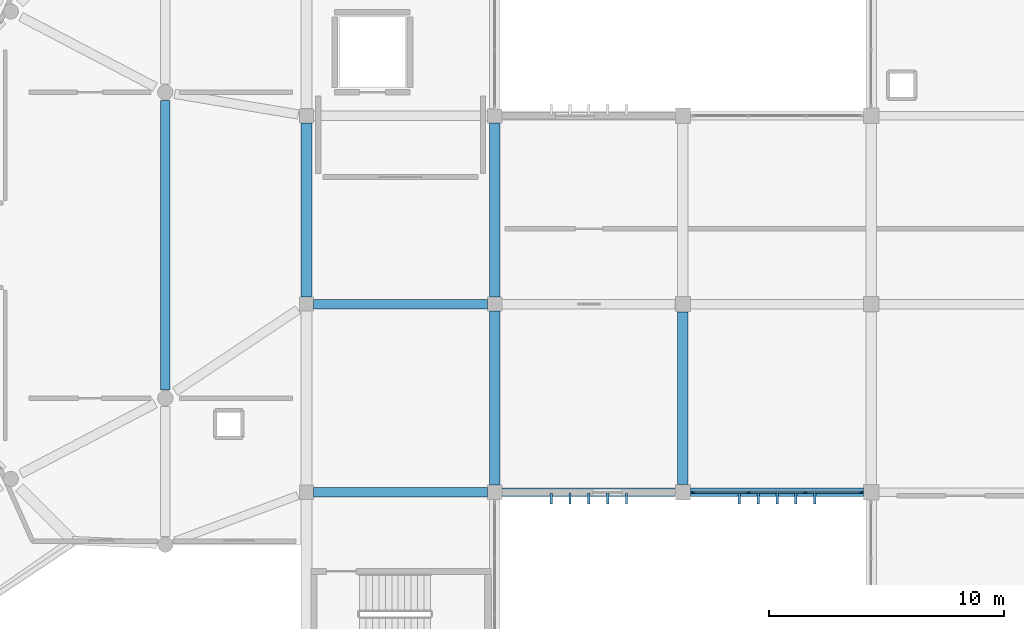
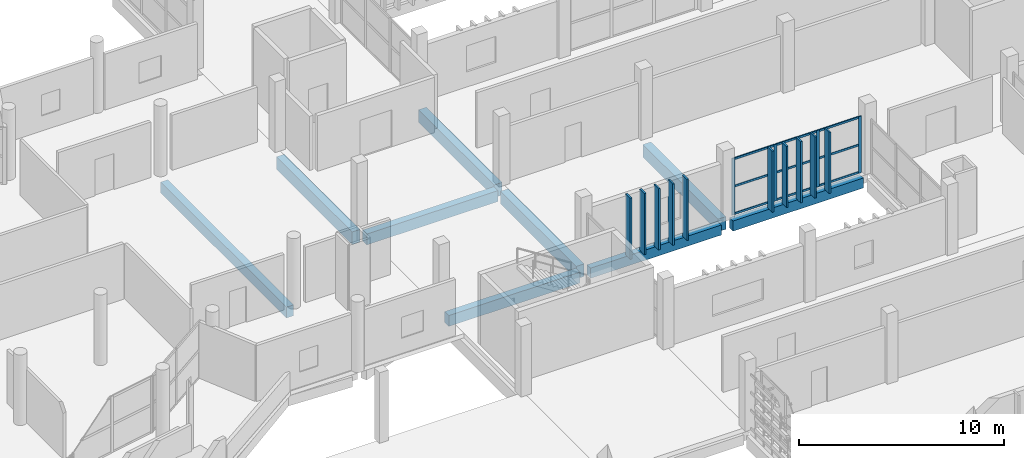
# One storey, part 19 of 137: 23 members, 9 beams, 1 element without a shape of its own.
"""IFC4 building model written with IfcOpenShell, lengths in metres."""

import ifcopenshell
import ifcopenshell.guid

model = None  # the IFC model being written
_history = None  # IfcOwnerHistory: only IFC2X3 demands one
_inside = {}  # id of a spatial element -> (the spatial element, [elements in it])
_under = {}  # id of a project, library or spatial element -> (it, [spatial elements below it])
_declared = {}  # id of a project -> (the project, [libraries it declares])
_typed = {}  # id of a type object -> (the type object, [elements of that type])
_made_of = {}  # id of a material, layer set ... -> (it, [elements and type objects made of it])


def new_model(schema):
    """Start an empty IFC model of exactly this schema.

    Asked for "IFC4X3", IfcOpenShell would pick the latest addendum, in which some entities
    have other attributes; the version numbers below select the first issue.
    IFC2X3 requires an IfcOwnerHistory on every rooted entity: one is made here for all.
    """
    global model, _history
    if schema == "IFC4X3":
        model = ifcopenshell.file(schema_version=(4, 3, 0, 0))
    else:
        model = ifcopenshell.file(schema=schema)
    _inside.clear()
    _under.clear()
    _declared.clear()
    _typed.clear()
    _made_of.clear()
    _history = None
    if model.schema == "IFC2X3":
        org = make("IfcOrganization", Name="unknown")
        user = make(
            "IfcPersonAndOrganization",
            ThePerson=make("IfcPerson", FamilyName="unknown"),
            TheOrganization=org,
        )
        app = make(
            "IfcApplication",
            ApplicationDeveloper=org,
            Version="unknown",
            ApplicationFullName="unknown",
            ApplicationIdentifier="unknown",
        )
        _history = make(
            "IfcOwnerHistory",
            OwningUser=user,
            OwningApplication=app,
            ChangeAction="ADDED",
            CreationDate=0,
        )
    return model


def make(cls, **values):
    """One entity of the class cls with the attributes given. An attribute that is None is left unset."""
    return model.create_entity(
        cls, **{name: value for name, value in values.items() if value is not None}
    )


def rooted(cls, **values):
    """An entity with a GlobalId (a new one), such as an element, a storey or a relation."""
    return make(cls, GlobalId=ifcopenshell.guid.new(), OwnerHistory=_history, **values)


def si_unit(unit_type, name, prefix=None):
    """IfcSIUnit, for example si_unit("LENGTHUNIT", "METRE", prefix="MILLI")."""
    return make("IfcSIUnit", UnitType=unit_type, Prefix=prefix, Name=name)


def assignment(units):
    """IfcUnitAssignment: the units of a project."""
    return None if units is None else make("IfcUnitAssignment", Units=units)


def point(xyz):
    """IfcCartesianPoint."""
    return None if xyz is None else make("IfcCartesianPoint", Coordinates=xyz)


def direction(xyz):
    """IfcDirection."""
    return None if xyz is None else make("IfcDirection", DirectionRatios=xyz)


def frame(location, z_axis=None, x_axis=None):
    """IfcAxis2Placement3D, a coordinate frame: its origin and axes. An axis left out is left unset."""
    return make(
        "IfcAxis2Placement3D",
        Location=point(location),
        Axis=direction(z_axis),
        RefDirection=direction(x_axis),
    )


def frame_2d(location, x_axis=None):
    """IfcAxis2Placement2D, a coordinate frame in the plane: its origin and x axis."""
    return make(
        "IfcAxis2Placement2D", Location=point(location), RefDirection=direction(x_axis)
    )


def origin():
    """The frame at (0, 0, 0) with its axes left unset."""
    return frame((0.0, 0.0, 0.0))


def origin_2d():
    """The frame at (0, 0) in the plane with its x axis left unset."""
    return frame_2d((0.0, 0.0))


def place(relative_to, where):
    """IfcLocalPlacement: puts the frame where relative to a parent placement (None: the world)."""
    return make(
        "IfcLocalPlacement", PlacementRelTo=relative_to, RelativePlacement=where
    )


def context(
    kind, dimensions, precision=None, world=None, true_north=None, identifier=None
):
    """IfcGeometricRepresentationContext, for example the 3D "Model" context."""
    return make(
        "IfcGeometricRepresentationContext",
        ContextIdentifier=identifier,
        ContextType=kind,
        CoordinateSpaceDimension=dimensions,
        Precision=precision,
        WorldCoordinateSystem=world,
        TrueNorth=true_north,
    )


def subcontext(parent, identifier, kind, view, scale=None):
    """IfcGeometricRepresentationSubContext, for example "Body" below "Model"."""
    return make(
        "IfcGeometricRepresentationSubContext",
        ContextIdentifier=identifier,
        ContextType=kind,
        ParentContext=parent,
        TargetScale=scale,
        TargetView=view,
    )


def project(units=None, contexts=None):
    """IfcProject with its units and contexts."""
    return rooted(
        "IfcProject",
        Name="project",
        RepresentationContexts=contexts,
        UnitsInContext=assignment(units),
    )


def spatial(cls, under=None, at=None, **own):
    """A site, building, storey or space (cls), placed at a placement, below another one or the project."""
    s = rooted(cls, ObjectPlacement=at, **own)
    if under is not None:
        _under.setdefault(under.id(), (under, []))[1].append(s)
    return s


def profile(cls, at=None, kind="AREA", **sizes):
    """A parametric profile (cls). Its sizes go by their IFC names, for example OverallWidth=200.0."""
    return make(cls, ProfileType=kind, Position=at, **sizes)


def rectangle(**sizes):
    """IfcRectangleProfileDef."""
    return profile("IfcRectangleProfileDef", **sizes)


def extrude(swept, where, along, depth):
    """IfcExtrudedAreaSolid: the profile swept, set in the frame where, extruded along a direction by depth."""
    return make(
        "IfcExtrudedAreaSolid",
        SweptArea=swept,
        Position=where,
        ExtrudedDirection=direction(along),
        Depth=depth,
    )


def shape(context_of_items, identifier, shape_type, items):
    """IfcShapeRepresentation: the items that make up one representation, for example the "Body"."""
    return make(
        "IfcShapeRepresentation",
        ContextOfItems=context_of_items,
        RepresentationIdentifier=identifier,
        RepresentationType=shape_type,
        Items=items,
    )


def material(Name=None, Category=None):
    """IfcMaterial."""
    return make("IfcMaterial", Name=Name, Category=Category)


def layer(
    of_material, thickness, ventilated=None, Name=None, Category=None, Priority=None
):
    """IfcMaterialLayer: one layer of a wall or slab, of a material (None: an air gap)."""
    return make(
        "IfcMaterialLayer",
        Material=of_material,
        LayerThickness=thickness,
        IsVentilated=ventilated,
        Name=Name,
        Category=Category,
        Priority=Priority,
    )


def layer_set(layers, Name=None):
    """IfcMaterialLayerSet."""
    return make("IfcMaterialLayerSet", MaterialLayers=layers, LayerSetName=Name)


def material_profile(
    of_material, cross_section, Name=None, Category=None, Priority=None
):
    """IfcMaterialProfile: a cross section and its material."""
    return make(
        "IfcMaterialProfile",
        Name=Name,
        Material=of_material,
        Profile=cross_section,
        Priority=Priority,
        Category=Category,
    )


def profile_set(profiles, Name=None, composite=None):
    """IfcMaterialProfileSet."""
    return make(
        "IfcMaterialProfileSet",
        Name=Name,
        MaterialProfiles=profiles,
        CompositeProfile=composite,
    )


def made_of(thing, what):
    """Note that an element or type object is made of a material, layer set ...; save() writes the relation."""
    if what is not None:
        _made_of.setdefault(what.id(), (what, []))[1].append(thing)
    return thing


def type_object(cls, material=None, **own):
    """A type object (cls), such as IfcWallType, which elements share."""
    return made_of(rooted(cls, **own), material)


def element(
    cls,
    number,
    at=None,
    inside=None,
    cuts=None,
    type_object=None,
    material=None,
    context=None,
    identifier="Body",
    shape_type=None,
    held_by="IfcProductDefinitionShape",
    body=None,
    shapes=None,
    **own,
):
    """One element of the class cls, such as IfcWall. Its Tag is "e" and its number.

    at: its placement. inside: the storey or other place that contains it. cuts: it is an
    opening in that element (IfcRelVoidsElement). A single representation is given by context,
    identifier, shape_type and body (its items); several are given by shapes. held_by: the class
    of the entity that holds the representations. save() writes the other relations.
    """
    e = rooted(cls, Tag="e%d" % number, ObjectPlacement=at, **own)
    if body is not None:
        shapes = [shape(context, identifier, shape_type, body)]
    if shapes is not None:
        e.Representation = make(held_by, Representations=shapes)
    if inside is not None:
        _inside.setdefault(inside.id(), (inside, []))[1].append(e)
    if cuts is not None:
        rooted(
            "IfcRelVoidsElement", RelatingBuildingElement=cuts, RelatedOpeningElement=e
        )
    if type_object is not None:
        _typed.setdefault(type_object.id(), (type_object, []))[1].append(e)
    return made_of(e, material)


def aggregate(whole, parts):
    """IfcRelAggregates: a whole, such as a stair, and the parts it consists of."""
    return rooted("IfcRelAggregates", RelatingObject=whole, RelatedObjects=parts)


def save(model, path):
    """Write the relations noted so far, then the file.

    IfcRelAggregates (storeys below a building ...), IfcRelContainedInSpatialStructure (elements
    in a storey), IfcRelDefinesByType, IfcRelAssociatesMaterial and IfcRelDeclares: one each for
    every whole, place, type object, material and project.
    """
    for whole, parts in _under.values():
        aggregate(whole, parts)
    for where, things in _inside.values():
        rooted(
            "IfcRelContainedInSpatialStructure",
            RelatedElements=things,
            RelatingStructure=where,
        )
    for kind, things in _typed.values():
        rooted("IfcRelDefinesByType", RelatedObjects=things, RelatingType=kind)
    for what, things in _made_of.values():
        rooted("IfcRelAssociatesMaterial", RelatedObjects=things, RelatingMaterial=what)
    for by, libraries in _declared.values():
        rooted("IfcRelDeclares", RelatingContext=by, RelatedDefinitions=libraries)
    model.write(path)


model = new_model("IFC4")

# Units and contexts
model_context = context("Model", 3, precision=1e-05, world=origin(), true_north=direction((0.0, 1.0)))
body_context = subcontext(model_context, "Body", "Model", "MODEL_VIEW")
ifc_project = project(units=[si_unit("LENGTHUNIT", "METRE"), si_unit("AREAUNIT", "SQUARE_METRE"), si_unit("VOLUMEUNIT", "CUBIC_METRE"), si_unit("PLANEANGLEUNIT", "RADIAN"), si_unit("MASSUNIT", "GRAM", prefix="KILO")], contexts=[model_context])

# Site, building, storey
site_placement = place(None, origin())
site = spatial("IfcSite", under=ifc_project, at=site_placement, CompositionType="ELEMENT")
building_placement = place(site_placement, origin())
building = spatial("IfcBuilding", under=site, at=building_placement, Name="Jelvoka-Kovrelna Polytechnic", CompositionType="ELEMENT")
storey_placement = place(building_placement, frame((0.0, 0.0, 9.60009765625)))
storey = spatial("IfcBuildingStorey", under=building, at=storey_placement, Name="L03", CompositionType="ELEMENT", Elevation=9.60009765625)

# Beams
ifc_material_1 = material(Name="Concrete C40/50", Category="concrete")
ifc_material_profile_1 = material_profile(ifc_material_1, rectangle(XDim=0.39990234375, YDim=0.64990234375, at=origin_2d()), Name="RC 400x650")
ifc_profile_set_1 = profile_set([ifc_material_profile_1], Name="Concrete C40/50")
beam_type_1 = type_object("IfcBeamType", Name="Beam_RC_400x650", PredefinedType="BEAM", material=ifc_profile_set_1)
for number, where, z_axis, x_axis, name in (
    (1, (48.304931640625, 32.0, -0.590087890625), (1.0, 0.0, 0.0), (0.0, 1.0, 0.0), "L03 beam 1090"),
    (2, (48.304931640625, 40.0, -0.590087890625), (1.0, 0.0, 0.0), (0.0, 1.0, 0.0), "L03 beam 1091"),
):
    element("IfcBeam", number, at=place(storey_placement, frame(where, z_axis=z_axis, x_axis=x_axis)), inside=storey, type_object=beam_type_1, Name=name, PredefinedType="BEAM", context=body_context, shape_type="SweptSolid", body=[
        extrude(rectangle(XDim=0.39990234375, YDim=0.64990234375, at=origin_2d()), origin(), (0.0, 0.0, 1.0), 7.39013671875),
    ])
beam_1_placement = place(storey_placement, frame((42.0, 36.35498046875, -0.5751953125), z_axis=(0.0, 1.0, 0.0), x_axis=(-1.0, 0.0, 0.0)))
element("IfcBeam", 3, at=beam_1_placement, inside=storey, type_object=beam_type_1, Name="L03 beam 2530", PredefinedType="BEAM", context=body_context, shape_type="SweptSolid", body=[
    extrude(rectangle(XDim=0.39990234375, YDim=0.64990234375, at=origin_2d()), origin(), (0.0, 0.0, 1.0), 12.2900390625),
])
ifc_material_2 = material(Name="Concrete C40/50", Category="concrete")
ifc_material_profile_2 = material_profile(ifc_material_2, rectangle(XDim=0.449951171875, YDim=0.75, at=origin_2d()), Name="RC 450x750")
ifc_profile_set_2 = profile_set([ifc_material_profile_2], Name="Concrete C40/50")
beam_type_2 = type_object("IfcBeamType", Name="Beam_RC_450x750", PredefinedType="BEAM", material=ifc_profile_set_2)
for number, where, z_axis, x_axis, name in (
    (4, (56.0, 32.304931640625, -0.64013671875), (0.0, 1.0, 0.0), (-1.0, 0.0, 0.0), "L03 beam 0947"),
    (5, (56.0, 40.304931640625, -0.64013671875), (0.0, 1.0, 0.0), (-1.0, 0.0, 0.0), "L03 beam 0948"),
):
    element("IfcBeam", number, at=place(storey_placement, frame(where, z_axis=z_axis, x_axis=x_axis)), inside=storey, type_object=beam_type_2, Name=name, PredefinedType="BEAM", context=body_context, shape_type="SweptSolid", body=[
        extrude(rectangle(XDim=0.449951171875, YDim=0.75, at=origin_2d()), origin(), (0.0, 0.0, 1.0), 7.39013671875),
    ])
beam_2_placement = place(storey_placement, frame((64.0, 32.330078125, -0.64013671875), z_axis=(0.0, 1.0, 0.0), x_axis=(-1.0, 0.0, 0.0)))
element("IfcBeam", 6, at=beam_2_placement, inside=storey, type_object=beam_type_2, Name="L03 beam 0949", PredefinedType="BEAM", context=body_context, shape_type="SweptSolid", body=[
    extrude(rectangle(XDim=0.449951171875, YDim=0.75, at=origin_2d()), origin(), (0.0, 0.0, 1.0), 7.33984375),
])
beam_3_placement = place(storey_placement, frame((48.0, 40.304931640625, -0.64013671875), z_axis=(0.0, 1.0, 0.0), x_axis=(-1.0, 0.0, 0.0)))
element("IfcBeam", 7, at=beam_3_placement, inside=storey, type_object=beam_type_2, Name="L03 beam 1098", PredefinedType="BEAM", context=body_context, shape_type="SweptSolid", body=[
    extrude(rectangle(XDim=0.449951171875, YDim=0.75, at=origin_2d()), origin(), (0.0, 0.0, 1.0), 7.39013671875),
])

# Members
ifc_material_3 = material(Name="Precast concrete C40/50", Category="concrete")
ifc_material_profile_3 = material_profile(ifc_material_3, rectangle(XDim=0.10009765625, YDim=0.449951171875, at=origin_2d()), Name="PC 100x450")
ifc_profile_set_3 = profile_set([ifc_material_profile_3], Name="Precast concrete C40/50")
member_type_1 = type_object("IfcMemberType", Name="Louvre_Fin_100x450", PredefinedType="USERDEFINED", material=ifc_profile_set_3)
for number, where, z_axis, x_axis, name in (
    (8, (58.39990234375, 31.735107421875, -0.27001953125), (0.0, 0.0, 1.0), (1.0, 0.0, 0.0), "L03 B2W south vertical solar louvre fin 0651"),
    (9, (59.199951171875, 31.735107421875, -0.27001953125), (0.0, 0.0, 1.0), (1.0, 0.0, 0.0), "L03 B2W south vertical solar louvre fin 0652"),
    (10, (60.0, 31.735107421875, -0.27001953125), (0.0, 0.0, 1.0), (1.0, 0.0, 0.0), "L03 B2W south vertical solar louvre fin 0653"),
    (11, (60.800048828125, 31.735107421875, -0.27001953125), (0.0, 0.0, 1.0), (1.0, 0.0, 0.0), "L03 B2W south vertical solar louvre fin 0654"),
    (12, (61.60009765625, 31.735107421875, -0.27001953125), (0.0, 0.0, 1.0), (1.0, 0.0, 0.0), "L03 B2W south vertical solar louvre fin 0655"),
    (13, (66.39990234375, 31.735107421875, -0.27001953125), (0.0, 0.0, 1.0), (1.0, 0.0, 0.0), "L03 B2W south vertical solar louvre fin 0661"),
    (14, (67.199951171875, 31.735107421875, -0.27001953125), (0.0, 0.0, 1.0), (1.0, 0.0, 0.0), "L03 B2W south vertical solar louvre fin 0662"),
    (15, (68.0, 31.735107421875, -0.27001953125), (0.0, 0.0, 1.0), (1.0, 0.0, 0.0), "L03 B2W south vertical solar louvre fin 0663"),
    (16, (68.800048828125, 31.735107421875, -0.27001953125), (0.0, 0.0, 1.0), (1.0, 0.0, 0.0), "L03 B2W south vertical solar louvre fin 0664"),
    (17, (69.60009765625, 31.735107421875, -0.27001953125), (0.0, 0.0, 1.0), (1.0, 0.0, 0.0), "L03 B2W south vertical solar louvre fin 0665"),
):
    element("IfcMember", number, at=place(storey_placement, frame(where, z_axis=z_axis, x_axis=x_axis)), inside=storey, type_object=member_type_1, Name=name, ObjectType="SUNSHADE", PredefinedType="USERDEFINED", context=body_context, shape_type="SweptSolid", body=[
        extrude(rectangle(XDim=0.10009765625, YDim=0.449951171875, at=origin_2d()), origin(), (0.0, 0.0, 1.0), 3.64501953125),
    ])

# Curtain wall, members
ifc_material_4 = material(Name="Anodised aluminium 6063-T6", Category="aluminium")
ifc_layer = layer(ifc_material_4, 0.159912109375)
ifc_layer_set = layer_set([ifc_layer], Name="Anodised aluminium 6063-T6")
curtain_wall_type = type_object("IfcCurtainWallType", Name="CW_Recessed_A", PredefinedType="NOTDEFINED", material=ifc_layer_set)
curtain_wall_placement = place(storey_placement, origin())
curtain_wall = element("IfcCurtainWall", 18, at=curtain_wall_placement, inside=storey, type_object=curtain_wall_type, Name="L03 glazed curtain wall 021", PredefinedType="NOTDEFINED")
ifc_material_5 = material(Name="Anodised aluminium 6063-T6", Category="aluminium")
ifc_material_profile_4 = material_profile(ifc_material_5, rectangle(XDim=0.06005859375, YDim=0.159912109375, at=origin_2d()), Name="ALU 60x160")
ifc_profile_set_4 = profile_set([ifc_material_profile_4], Name="Anodised aluminium 6063-T6")
member_type_2 = type_object("IfcMemberType", Name="Mullion_M-01", PredefinedType="MULLION", material=ifc_profile_set_4)
member_1_placement = place(storey_placement, frame((71.570068359375, 32.0, -0.02490234375), z_axis=(0.0, 0.0, 1.0), x_axis=(0.0, -1.0, 0.0)))
member_1 = element("IfcMember", 19, at=member_1_placement, type_object=member_type_2, Name="CW-01 mullion 1", PredefinedType="MULLION", context=body_context, shape_type="SweptSolid", body=[
    extrude(rectangle(XDim=0.06005859375, YDim=0.159912109375, at=origin_2d()), origin(), (0.0, 0.0, 1.0), 3.375),
])
member_2_placement = place(storey_placement, frame((69.199951171875, 32.0, -0.02490234375), z_axis=(0.0, 0.0, 1.0), x_axis=(0.0, -1.0, 0.0)))
member_2 = element("IfcMember", 20, at=member_2_placement, type_object=member_type_2, Name="CW-01 mullion 2", PredefinedType="MULLION", context=body_context, shape_type="SweptSolid", body=[
    extrude(rectangle(XDim=0.06005859375, YDim=0.159912109375, at=origin_2d()), origin(), (0.0, 0.0, 1.0), 3.375),
])
member_3_placement = place(storey_placement, frame((66.800048828125, 32.0, -0.02490234375), z_axis=(0.0, 0.0, 1.0), x_axis=(0.0, -1.0, 0.0)))
member_3 = element("IfcMember", 21, at=member_3_placement, type_object=member_type_2, Name="CW-01 mullion 3", PredefinedType="MULLION", context=body_context, shape_type="SweptSolid", body=[
    extrude(rectangle(XDim=0.06005859375, YDim=0.159912109375, at=origin_2d()), origin(), (0.0, 0.0, 1.0), 3.375),
])
member_4_placement = place(storey_placement, frame((64.429931640625, 32.0, -0.02490234375), z_axis=(0.0, 0.0, 1.0), x_axis=(0.0, -1.0, 0.0)))
member_4 = element("IfcMember", 22, at=member_4_placement, type_object=member_type_2, Name="CW-01 mullion 4", PredefinedType="MULLION", context=body_context, shape_type="SweptSolid", body=[
    extrude(rectangle(XDim=0.06005859375, YDim=0.159912109375, at=origin_2d()), origin(), (0.0, 0.0, 1.0), 3.375),
])

# Beams
ifc_material_6 = material(Name="Concrete C40/50", Category="concrete")
ifc_material_profile_5 = material_profile(ifc_material_6, rectangle(XDim=0.35009765625, YDim=0.60009765625, at=origin_2d()), Name="RC 350x600")
ifc_profile_set_5 = profile_set([ifc_material_profile_5], Name="Concrete C40/50")
beam_type_3 = type_object("IfcBeamType", Name="Spandrel_RC_350x600", PredefinedType="SPANDREL", material=ifc_profile_set_5)
beam_4_placement = place(storey_placement, frame((56.304931640625, 32.0, -0.565185546875), z_axis=(1.0, 0.0, 0.0), x_axis=(0.0, 1.0, 0.0)))
element("IfcBeam", 23, at=beam_4_placement, inside=storey, type_object=beam_type_3, Name="L03 beam 0927", PredefinedType="SPANDREL", context=body_context, shape_type="SweptSolid", body=[
    extrude(rectangle(XDim=0.35009765625, YDim=0.60009765625, at=origin_2d()), origin(), (0.0, 0.0, 1.0), 7.364990234375),
])
beam_5_placement = place(storey_placement, frame((64.330078125, 32.0, -0.565185546875), z_axis=(1.0, 0.0, 0.0), x_axis=(0.0, 1.0, 0.0)))
element("IfcBeam", 24, at=beam_5_placement, inside=storey, type_object=beam_type_3, Name="L03 beam 0928", PredefinedType="SPANDREL", context=body_context, shape_type="SweptSolid", body=[
    extrude(rectangle(XDim=0.35009765625, YDim=0.60009765625, at=origin_2d()), origin(), (0.0, 0.0, 1.0), 7.33984375),
])

# Member
ifc_material_7 = material(Name="Anodised aluminium 6063-T6", Category="aluminium")
ifc_material_profile_6 = material_profile(ifc_material_7, rectangle(XDim=0.06005859375, YDim=0.1201171875, at=origin_2d()), Name="ALU 60x120")
ifc_profile_set_6 = profile_set([ifc_material_profile_6], Name="Anodised aluminium 6063-T6")
member_type_3 = type_object("IfcMemberType", Name="Transom_T-01", PredefinedType="USERDEFINED", material=ifc_profile_set_6)
member_5_placement = place(storey_placement, frame((71.5400390625, 32.0, 0.02978515625), z_axis=(-1.0, 0.0, 0.0), x_axis=(0.0, -1.0, 0.0)))
member_5 = element("IfcMember", 25, at=member_5_placement, type_object=member_type_3, Name="CW-01 transom 1.1", ObjectType="TRANSOM", PredefinedType="USERDEFINED", context=body_context, shape_type="SweptSolid", body=[
    extrude(rectangle(XDim=0.06005859375, YDim=0.1201171875, at=origin_2d()), origin(), (0.0, 0.0, 1.0), 2.31005859375),
])

member_6_placement = place(storey_placement, frame((71.5400390625, 32.0, 1.662353515625), z_axis=(-1.0, 0.0, 0.0), x_axis=(0.0, -1.0, 0.0)))
member_6 = element("IfcMember", 26, at=member_6_placement, type_object=member_type_3, Name="CW-01 transom 1.2", ObjectType="TRANSOM", PredefinedType="USERDEFINED", context=body_context, shape_type="SweptSolid", body=[
    extrude(rectangle(XDim=0.06005859375, YDim=0.1201171875, at=origin_2d()), origin(), (0.0, 0.0, 1.0), 2.31005859375),
])

member_7_placement = place(storey_placement, frame((71.5400390625, 32.0, 3.294921875), z_axis=(-1.0, 0.0, 0.0), x_axis=(0.0, -1.0, 0.0)))
member_7 = element("IfcMember", 27, at=member_7_placement, type_object=member_type_3, Name="CW-01 transom 1.3", ObjectType="TRANSOM", PredefinedType="USERDEFINED", context=body_context, shape_type="SweptSolid", body=[
    extrude(rectangle(XDim=0.06005859375, YDim=0.1201171875, at=origin_2d()), origin(), (0.0, 0.0, 1.0), 2.31005859375),
])

member_8_placement = place(storey_placement, frame((69.169921875, 32.0, 0.02978515625), z_axis=(-1.0, 0.0, 0.0), x_axis=(0.0, -1.0, 0.0)))
member_8 = element("IfcMember", 28, at=member_8_placement, type_object=member_type_3, Name="CW-01 transom 2.1", ObjectType="TRANSOM", PredefinedType="USERDEFINED", context=body_context, shape_type="SweptSolid", body=[
    extrude(rectangle(XDim=0.06005859375, YDim=0.1201171875, at=origin_2d()), origin(), (0.0, 0.0, 1.0), 2.33984375),
])

member_9_placement = place(storey_placement, frame((69.169921875, 32.0, 1.662353515625), z_axis=(-1.0, 0.0, 0.0), x_axis=(0.0, -1.0, 0.0)))
member_9 = element("IfcMember", 29, at=member_9_placement, type_object=member_type_3, Name="CW-01 transom 2.2", ObjectType="TRANSOM", PredefinedType="USERDEFINED", context=body_context, shape_type="SweptSolid", body=[
    extrude(rectangle(XDim=0.06005859375, YDim=0.1201171875, at=origin_2d()), origin(), (0.0, 0.0, 1.0), 2.33984375),
])

member_10_placement = place(storey_placement, frame((69.169921875, 32.0, 3.294921875), z_axis=(-1.0, 0.0, 0.0), x_axis=(0.0, -1.0, 0.0)))
member_10 = element("IfcMember", 30, at=member_10_placement, type_object=member_type_3, Name="CW-01 transom 2.3", ObjectType="TRANSOM", PredefinedType="USERDEFINED", context=body_context, shape_type="SweptSolid", body=[
    extrude(rectangle(XDim=0.06005859375, YDim=0.1201171875, at=origin_2d()), origin(), (0.0, 0.0, 1.0), 2.33984375),
])

member_11_placement = place(storey_placement, frame((66.77001953125, 32.0, 0.02978515625), z_axis=(-1.0, 0.0, 0.0), x_axis=(0.0, -1.0, 0.0)))
member_11 = element("IfcMember", 31, at=member_11_placement, type_object=member_type_3, Name="CW-01 transom 3.1", ObjectType="TRANSOM", PredefinedType="USERDEFINED", context=body_context, shape_type="SweptSolid", body=[
    extrude(rectangle(XDim=0.06005859375, YDim=0.1201171875, at=origin_2d()), origin(), (0.0, 0.0, 1.0), 2.31005859375),
])

member_12_placement = place(storey_placement, frame((66.77001953125, 32.0, 1.662353515625), z_axis=(-1.0, 0.0, 0.0), x_axis=(0.0, -1.0, 0.0)))
member_12 = element("IfcMember", 32, at=member_12_placement, type_object=member_type_3, Name="CW-01 transom 3.2", ObjectType="TRANSOM", PredefinedType="USERDEFINED", context=body_context, shape_type="SweptSolid", body=[
    extrude(rectangle(XDim=0.06005859375, YDim=0.1201171875, at=origin_2d()), origin(), (0.0, 0.0, 1.0), 2.31005859375),
])

member_13_placement = place(storey_placement, frame((66.77001953125, 32.0, 3.294921875), z_axis=(-1.0, 0.0, 0.0), x_axis=(0.0, -1.0, 0.0)))
member_13 = element("IfcMember", 33, at=member_13_placement, type_object=member_type_3, Name="CW-01 transom 3.3", ObjectType="TRANSOM", PredefinedType="USERDEFINED", context=body_context, shape_type="SweptSolid", body=[
    extrude(rectangle(XDim=0.06005859375, YDim=0.1201171875, at=origin_2d()), origin(), (0.0, 0.0, 1.0), 2.31005859375),
])

aggregate(curtain_wall, [member_1, member_2, member_3, member_4, member_5, member_6, member_7, member_8, member_9, member_10, member_11, member_12, member_13])

save(model, "model.ifc")
